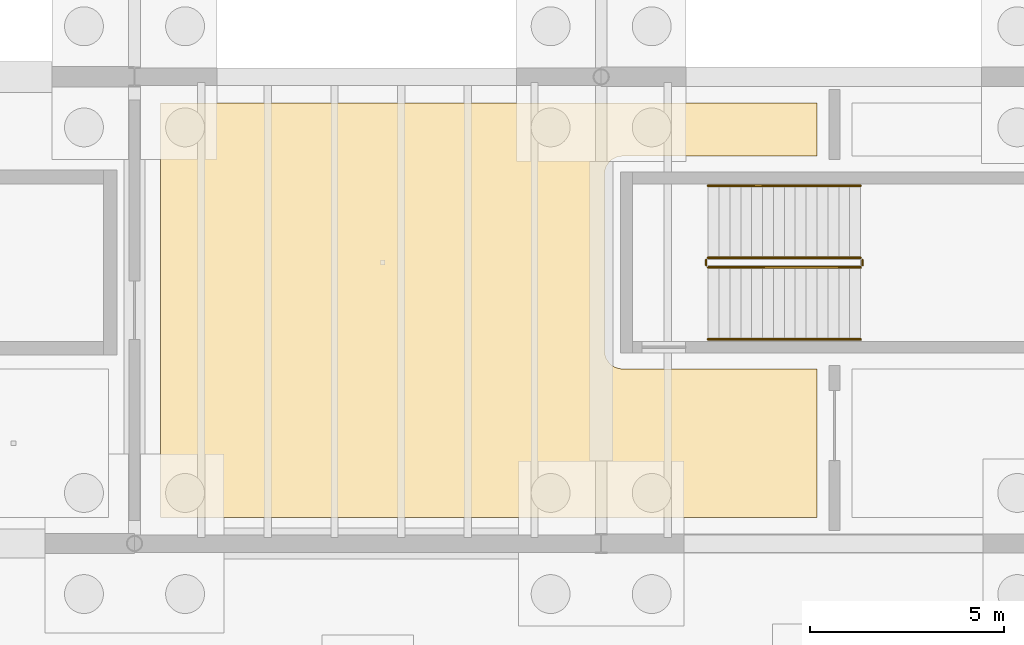
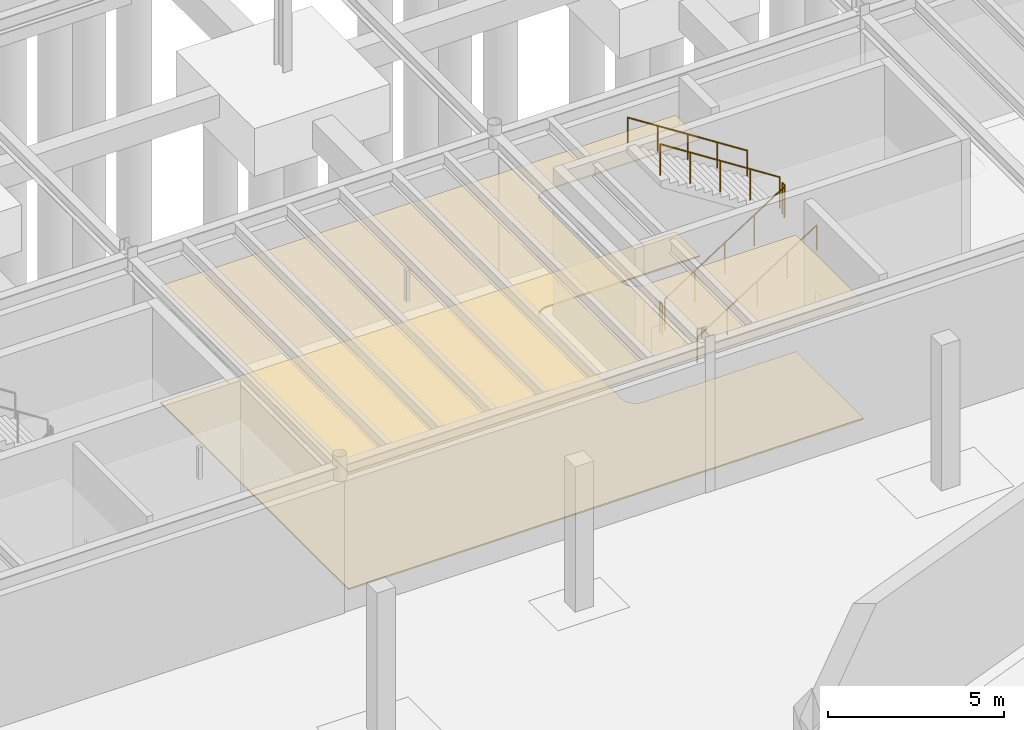
# One storey, part 60 of 67: 6 railings, 2 coverings.
"""IFC4 building model written with IfcOpenShell, lengths in metres."""

from ifc_helpers import new_model, si_unit, direction, frame, origin, origin_2d, place, context, subcontext, project, spatial, polyline, circle, outline, extrude, material, layer, layer_set, type_object, element, save


model = new_model("IFC4")

# Units and contexts
model_context = context("Model", 3, precision=1e-05, world=origin(), true_north=direction((0.0, 1.0)))
body_context = subcontext(model_context, "Body", "Model", "MODEL_VIEW")
ifc_project = project(units=[si_unit("LENGTHUNIT", "METRE"), si_unit("AREAUNIT", "SQUARE_METRE"), si_unit("VOLUMEUNIT", "CUBIC_METRE"), si_unit("PLANEANGLEUNIT", "RADIAN"), si_unit("MASSUNIT", "GRAM", prefix="KILO")], contexts=[model_context])

# Site, building, storey
site_placement = place(None, origin())
site = spatial("IfcSite", under=ifc_project, at=site_placement, CompositionType="ELEMENT")
building_placement = place(site_placement, origin())
building = spatial("IfcBuilding", under=site, at=building_placement, Name="Zlatogorsky Bluff Art Gallery", CompositionType="ELEMENT")
storey_placement = place(building_placement, frame((0.0, 0.0, -5.39990234375)))
storey = spatial("IfcBuildingStorey", under=building, at=storey_placement, Name="B1", CompositionType="ELEMENT", Elevation=-5.39990234375)

# Covering
ifc_material_1 = material(Name="Perforated Gypsum Acoustic Board", Category="gypsum")
ifc_layer_1 = layer(ifc_material_1, 0.0400390625)
ifc_layer_set_1 = layer_set([ifc_layer_1], Name="Acoustic Gallery Ceiling CLG-01")
covering_type_1 = type_object("IfcCoveringType", Name="Acoustic Gallery Ceiling CLG-01", PredefinedType="CEILING", material=ifc_layer_set_1)
covering_1_placement = place(storey_placement, frame((0.0, 0.0, 4.0498046875)))
element("IfcCovering", 1, at=covering_1_placement, inside=storey, type_object=covering_type_1, Name="Climate-Controlled Art Stores acoustic ceiling", PredefinedType="CEILING", context=body_context, shape_type="SweptSolid", body=[
    extrude(outline(polyline([(84.669921875, 95.330078125), (101.550048828125, 95.330078125), (101.550048828125, 93.9599609375), (96.549072265625, 93.9599609375), (96.504638671875, 93.957763671875), (96.460693359375, 93.951416015625), (96.459716796875, 93.951171875), (96.450439453125, 93.94921875), (96.449462890625, 93.948974609375), (96.40625, 93.93701171875), (96.3642578125, 93.9208984375), (96.36328125, 93.92041015625), (96.362548828125, 93.919921875), (96.326904296875, 93.902099609375), (96.325927734375, 93.901611328125), (96.293701171875, 93.882080078125), (96.26318359375, 93.859619140625), (96.26171875, 93.8583984375), (96.224609375, 93.8251953125), (96.19140625, 93.7880859375), (96.190185546875, 93.78662109375), (96.16796875, 93.75634765625), (96.148193359375, 93.72412109375), (96.147705078125, 93.72314453125), (96.1298828125, 93.6875), (96.129150390625, 93.685791015625), (96.113037109375, 93.643798828125), (96.10107421875, 93.6005859375), (96.100830078125, 93.599609375), (96.098876953125, 93.59033203125), (96.0986328125, 93.58935546875), (96.09228515625, 93.54541015625), (96.090087890625, 93.5009765625), (96.090087890625, 88.948974609375), (96.09228515625, 88.90478515625), (96.0986328125, 88.860595703125), (96.098876953125, 88.859619140625), (96.100830078125, 88.850341796875), (96.10107421875, 88.849609375), (96.113037109375, 88.80615234375), (96.129150390625, 88.764404296875), (96.1298828125, 88.762451171875), (96.147705078125, 88.726806640625), (96.148193359375, 88.725830078125), (96.16796875, 88.693603515625), (96.190185546875, 88.663330078125), (96.19140625, 88.661865234375), (96.224609375, 88.624755859375), (96.26171875, 88.591552734375), (96.26318359375, 88.59033203125), (96.293701171875, 88.568115234375), (96.325927734375, 88.54833984375), (96.326904296875, 88.5478515625), (96.362548828125, 88.530029296875), (96.3642578125, 88.529296875), (96.40625, 88.512939453125), (96.449462890625, 88.501220703125), (96.450439453125, 88.5009765625), (96.459716796875, 88.498779296875), (96.460693359375, 88.498779296875), (96.504638671875, 88.4921875), (96.549072265625, 88.489990234375), (101.550048828125, 88.489990234375), (101.550048828125, 84.669921875), (84.669921875, 84.669921875), (84.669921875, 95.330078125)])), origin(), (0.0, 0.0, 1.0), 0.0400390625),
])

# Railings
ifc_material_2 = material(Name="Architectural Bronze and Laminated Glass", Category="glass")
railing_type_1 = type_object("IfcRailingType", Name="Gallery Guard Rail 1100mm", PredefinedType="GUARDRAIL", material=ifc_material_2)
railing_1_placement = place(storey_placement, frame((98.75, 91.10009765625, 0.179931640625)))
element("IfcRailing", 2, at=railing_1_placement, inside=storey, type_object=railing_type_1, Name="B1 ST-01 stair guard 1", PredefinedType="GUARDRAIL", context=body_context, shape_type="SweptSolid", body=[
    extrude(circle(Radius=0.02392578125, at=origin_2d()), frame((0.0, 0.0, 1.076171875), z_axis=(0.841171666519, 0.0, 0.540768182723), x_axis=(0.0, 1.0, 0.0)), (0.0, 0.0, 1.0), 4.66015625),
    extrude(circle(Radius=0.02099609375, at=origin_2d()), origin(), (0.0, 0.0, 1.0), 1.052001953125),
    extrude(circle(Radius=0.02099609375, at=origin_2d()), frame((0.97998046875, 0.0, 0.6298828125)), (0.0, 0.0, 1.0), 1.052001953125),
    extrude(circle(Radius=0.02099609375, at=origin_2d()), frame((1.9599609375, 0.0, 1.260009765625)), (0.0, 0.0, 1.0), 1.052001953125),
    extrude(circle(Radius=0.02099609375, at=origin_2d()), frame((2.93994140625, 0.0, 1.89013671875)), (0.0, 0.0, 1.0), 1.052001953125),
    extrude(circle(Radius=0.02099609375, at=origin_2d()), frame((3.919921875, 0.0, 2.52001953125)), (0.0, 0.0, 1.0), 1.052001953125),
])
railing_2_placement = place(storey_placement, frame((102.719970703125, 91.14990234375, 2.699951171875)))
element("IfcRailing", 3, at=railing_2_placement, inside=storey, type_object=railing_type_1, Name="B1 ST-01 stair guard 2", PredefinedType="GUARDRAIL", context=body_context, shape_type="SweptSolid", body=[
    extrude(circle(Radius=0.02392578125, at=origin_2d()), frame((0.0, 0.0, 1.076171875), z_axis=(0.0, 1.0, 0.0), x_axis=(-1.0, 0.0, 0.0)), (0.0, 0.0, 1.0), 0.150146484375),
    extrude(circle(Radius=0.02099609375, at=origin_2d()), origin(), (0.0, 0.0, 1.0), 1.052001953125),
    extrude(circle(Radius=0.02099609375, at=origin_2d()), frame((0.0, 0.150146484375, 0.0)), (0.0, 0.0, 1.0), 1.052001953125),
])
railing_3_placement = place(storey_placement, frame((102.669921875, 91.35009765625, 2.8798828125)))
element("IfcRailing", 4, at=railing_3_placement, inside=storey, type_object=railing_type_1, Name="B1 ST-01 stair guard 3", PredefinedType="GUARDRAIL", context=body_context, shape_type="SweptSolid", body=[
    extrude(circle(Radius=0.02392578125, at=origin_2d()), frame((0.0, 0.0, 1.076171875), z_axis=(-0.841171666519, 0.0, 0.540768182723), x_axis=(0.0, -1.0, 0.0)), (0.0, 0.0, 1.0), 4.66015625),
    extrude(circle(Radius=0.02099609375, at=origin_2d()), origin(), (0.0, 0.0, 1.0), 1.052001953125),
    extrude(circle(Radius=0.02099609375, at=origin_2d()), frame((-0.97998046875, 0.0, 0.6298828125)), (0.0, 0.0, 1.0), 1.052001953125),
    extrude(circle(Radius=0.02099609375, at=origin_2d()), frame((-1.9599609375, 0.0, 1.260009765625)), (0.0, 0.0, 1.0), 1.052001953125),
    extrude(circle(Radius=0.02099609375, at=origin_2d()), frame((-2.93994140625, 0.0, 1.89013671875)), (0.0, 0.0, 1.0), 1.052001953125),
    extrude(circle(Radius=0.02099609375, at=origin_2d()), frame((-3.919921875, 0.0, 2.52001953125)), (0.0, 0.0, 1.0), 1.052001953125),
])
railing_4_placement = place(storey_placement, frame((98.699951171875, 91.14990234375, 0.0)))
element("IfcRailing", 5, at=railing_4_placement, inside=storey, type_object=railing_type_1, Name="B1 ST-01 stair guard 4", PredefinedType="GUARDRAIL", context=body_context, shape_type="SweptSolid", body=[
    extrude(circle(Radius=0.02392578125, at=origin_2d()), frame((0.0, 0.0, 1.076171875), z_axis=(0.0, 1.0, 0.0), x_axis=(-1.0, 0.0, 0.0)), (0.0, 0.0, 1.0), 0.150146484375),
    extrude(circle(Radius=0.02099609375, at=origin_2d()), origin(), (0.0, 0.0, 1.0), 1.052001953125),
    extrude(circle(Radius=0.02099609375, at=origin_2d()), frame((0.0, 0.150146484375, 0.0)), (0.0, 0.0, 1.0), 1.052001953125),
])
ifc_material_3 = material(Name="Brushed Stainless Steel", Category="steel")
railing_type_2 = type_object("IfcRailingType", Name="Stair Pitch Handrail 900mm", PredefinedType="HANDRAIL", material=ifc_material_3)
railing_5_placement = place(storey_placement, frame((98.75, 89.25, 0.179931640625)))
element("IfcRailing", 6, at=railing_5_placement, inside=storey, type_object=railing_type_2, Name="B1 ST-01 stair handrail 1", PredefinedType="HANDRAIL", context=body_context, shape_type="SweptSolid", body=[
    extrude(circle(Radius=0.02392578125, at=origin_2d()), frame((0.0, 0.0, 0.8759765625), z_axis=(0.841171666519, 0.0, 0.540768182723), x_axis=(0.0, 1.0, 0.0)), (0.0, 0.0, 1.0), 4.66015625),
    extrude(circle(Radius=0.02099609375, at=origin_2d()), origin(), (0.0, 0.0, 1.0), 0.851806640625),
    extrude(circle(Radius=0.02099609375, at=origin_2d()), frame((0.97998046875, 0.0, 0.6298828125)), (0.0, 0.0, 1.0), 0.851806640625),
    extrude(circle(Radius=0.02099609375, at=origin_2d()), frame((1.9599609375, 0.0, 1.260009765625)), (0.0, 0.0, 1.0), 0.851806640625),
    extrude(circle(Radius=0.02099609375, at=origin_2d()), frame((2.93994140625, 0.0, 1.89013671875)), (0.0, 0.0, 1.0), 0.851806640625),
    extrude(circle(Radius=0.02099609375, at=origin_2d()), frame((3.919921875, 0.0, 2.52001953125)), (0.0, 0.0, 1.0), 0.851806640625),
])
railing_6_placement = place(storey_placement, frame((102.669921875, 93.199951171875, 2.8798828125)))
element("IfcRailing", 7, at=railing_6_placement, inside=storey, type_object=railing_type_2, Name="B1 ST-01 stair handrail 2", PredefinedType="HANDRAIL", context=body_context, shape_type="SweptSolid", body=[
    extrude(circle(Radius=0.02392578125, at=origin_2d()), frame((0.0, 0.0, 0.8759765625), z_axis=(-0.841171666519, 0.0, 0.540768182723), x_axis=(0.0, -1.0, 0.0)), (0.0, 0.0, 1.0), 4.66015625),
    extrude(circle(Radius=0.02099609375, at=origin_2d()), origin(), (0.0, 0.0, 1.0), 0.851806640625),
    extrude(circle(Radius=0.02099609375, at=origin_2d()), frame((-0.97998046875, 0.0, 0.6298828125)), (0.0, 0.0, 1.0), 0.851806640625),
    extrude(circle(Radius=0.02099609375, at=origin_2d()), frame((-1.9599609375, 0.0, 1.260009765625)), (0.0, 0.0, 1.0), 0.851806640625),
    extrude(circle(Radius=0.02099609375, at=origin_2d()), frame((-2.93994140625, 0.0, 1.89013671875)), (0.0, 0.0, 1.0), 0.851806640625),
    extrude(circle(Radius=0.02099609375, at=origin_2d()), frame((-3.919921875, 0.0, 2.52001953125)), (0.0, 0.0, 1.0), 0.851806640625),
])

# Covering
ifc_material_4 = material(Name="Polished Ural Marble Terrazzo", Category="masonry")
ifc_layer_2 = layer(ifc_material_4, 0.050048828125)
ifc_layer_set_2 = layer_set([ifc_layer_2], Name="Terrazzo Gallery Flooring FLR-01")
covering_type_2 = type_object("IfcCoveringType", Name="Terrazzo Gallery Flooring FLR-01", PredefinedType="FLOORING", material=ifc_layer_set_2)
covering_2_placement = place(storey_placement, origin())
element("IfcCovering", 8, at=covering_2_placement, inside=storey, type_object=covering_type_2, Name="Climate-Controlled Art Stores terrazzo floor finish", PredefinedType="FLOORING", context=body_context, shape_type="SweptSolid", body=[
    extrude(outline(polyline([(84.669921875, 95.330078125), (101.550048828125, 95.330078125), (101.550048828125, 93.9599609375), (96.549072265625, 93.9599609375), (96.504638671875, 93.957763671875), (96.460693359375, 93.951416015625), (96.459716796875, 93.951171875), (96.450439453125, 93.94921875), (96.449462890625, 93.948974609375), (96.40625, 93.93701171875), (96.3642578125, 93.9208984375), (96.36328125, 93.92041015625), (96.362548828125, 93.919921875), (96.326904296875, 93.902099609375), (96.325927734375, 93.901611328125), (96.293701171875, 93.882080078125), (96.26318359375, 93.859619140625), (96.26171875, 93.8583984375), (96.224609375, 93.8251953125), (96.19140625, 93.7880859375), (96.190185546875, 93.78662109375), (96.16796875, 93.75634765625), (96.148193359375, 93.72412109375), (96.147705078125, 93.72314453125), (96.1298828125, 93.6875), (96.129150390625, 93.685791015625), (96.113037109375, 93.643798828125), (96.10107421875, 93.6005859375), (96.100830078125, 93.599609375), (96.098876953125, 93.59033203125), (96.0986328125, 93.58935546875), (96.09228515625, 93.54541015625), (96.090087890625, 93.5009765625), (96.090087890625, 88.948974609375), (96.09228515625, 88.90478515625), (96.0986328125, 88.860595703125), (96.098876953125, 88.859619140625), (96.100830078125, 88.850341796875), (96.10107421875, 88.849609375), (96.113037109375, 88.80615234375), (96.129150390625, 88.764404296875), (96.1298828125, 88.762451171875), (96.147705078125, 88.726806640625), (96.148193359375, 88.725830078125), (96.16796875, 88.693603515625), (96.190185546875, 88.663330078125), (96.19140625, 88.661865234375), (96.224609375, 88.624755859375), (96.26171875, 88.591552734375), (96.26318359375, 88.59033203125), (96.293701171875, 88.568115234375), (96.325927734375, 88.54833984375), (96.326904296875, 88.5478515625), (96.362548828125, 88.530029296875), (96.3642578125, 88.529296875), (96.40625, 88.512939453125), (96.449462890625, 88.501220703125), (96.450439453125, 88.5009765625), (96.459716796875, 88.498779296875), (96.460693359375, 88.498779296875), (96.504638671875, 88.4921875), (96.549072265625, 88.489990234375), (101.550048828125, 88.489990234375), (101.550048828125, 84.669921875), (84.669921875, 84.669921875), (84.669921875, 95.330078125)])), origin(), (0.0, 0.0, 1.0), 0.0498046875),
])

save(model, "model.ifc")
